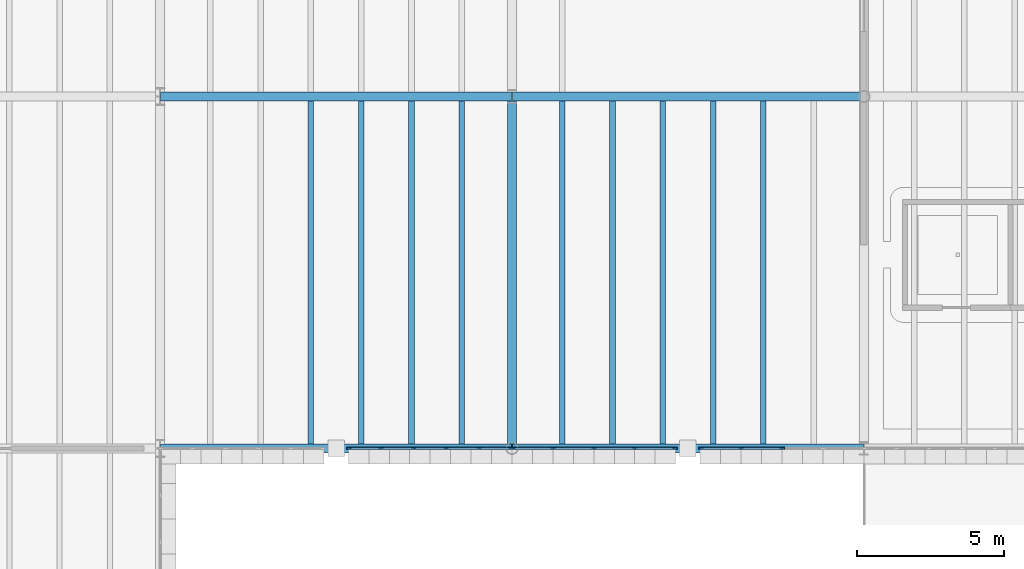
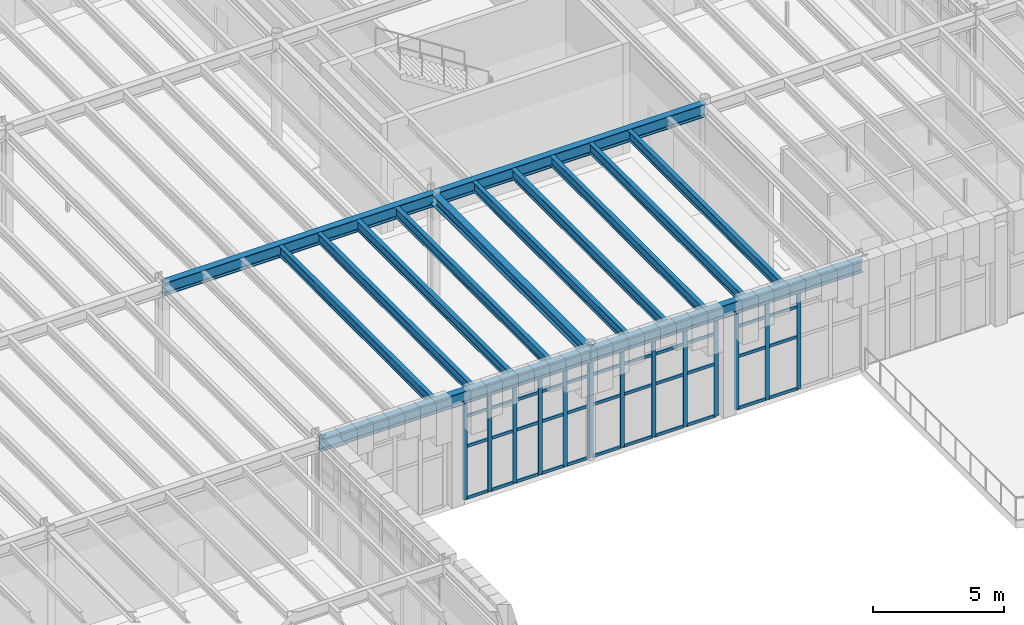
# One storey, part 19 of 103: 58 members, 14 beams, 3 elements without a shape of their own.
"""IFC4 building model written with IfcOpenShell, lengths in metres."""

from ifc_helpers import new_model, si_unit, direction, frame, origin, origin_2d, place, context, subcontext, project, spatial, rectangle, i_section, extrude, material, layer, layer_set, material_profile, profile_set, type_object, element, aggregate, save


model = new_model("IFC4")

# Units and contexts
model_context = context("Model", 3, precision=1e-05, world=origin(), true_north=direction((0.0, 1.0)))
body_context = subcontext(model_context, "Body", "Model", "MODEL_VIEW")
ifc_project = project(units=[si_unit("LENGTHUNIT", "METRE"), si_unit("AREAUNIT", "SQUARE_METRE"), si_unit("VOLUMEUNIT", "CUBIC_METRE"), si_unit("PLANEANGLEUNIT", "RADIAN"), si_unit("MASSUNIT", "GRAM", prefix="KILO")], contexts=[model_context])

# Site, building, storey
site_placement = place(None, origin())
site = spatial("IfcSite", under=ifc_project, at=site_placement, CompositionType="ELEMENT")
building_placement = place(site_placement, origin())
building = spatial("IfcBuilding", under=site, at=building_placement, Name="Zlatogorsky Bluff Art Gallery", CompositionType="ELEMENT")
storey_placement = place(building_placement, origin())
storey = spatial("IfcBuildingStorey", under=building, at=storey_placement, Name="L00", CompositionType="ELEMENT", Elevation=0.0)

# Beams
ifc_material_1 = material(Name="Steel S355", Category="steel")
ifc_material_profile_1 = material_profile(ifc_material_1, i_section(OverallWidth=0.300048828125, OverallDepth=0.590087890625, WebThickness=0.012939453125, FlangeThickness=0.02490234375, FilletRadius=0.027099609375, at=origin_2d()), Name="HEA 600")
ifc_profile_set_1 = profile_set([ifc_material_profile_1], Name="Steel S355")
beam_type_1 = type_object("IfcBeamType", Name="Beam BM-05 HEA 600", PredefinedType="BEAM", material=ifc_profile_set_1)
for number, where, z_axis, x_axis, name in (
    (1, (24.014892578125, 84.0, 4.844970703125), (1.0, 0.0, 0.0), (0.0, 1.0, 0.0), "Primary girder BM-05 L00 C-D/9"),
    (2, (24.014892578125, 96.0, 4.844970703125), (1.0, 0.0, 0.0), (0.0, 1.0, 0.0), "Primary girder BM-05 L00 C-D/10"),
    (3, (36.014892578125, 84.0, 4.844970703125), (1.0, 0.0, 0.0), (0.0, 1.0, 0.0), "Primary girder BM-05 L00 D-E/9"),
    (4, (36.014892578125, 96.0, 4.844970703125), (1.0, 0.0, 0.0), (0.0, 1.0, 0.0), "Primary girder BM-05 L00 D-E/10"),
):
    element("IfcBeam", number, at=place(storey_placement, frame(where, z_axis=z_axis, x_axis=x_axis)), inside=storey, type_object=beam_type_1, Name=name, PredefinedType="BEAM", context=body_context, shape_type="SweptSolid", body=[
        extrude(i_section(OverallWidth=0.300048828125, OverallDepth=0.590087890625, WebThickness=0.012939453125, FlangeThickness=0.02490234375, FilletRadius=0.027099609375, at=origin_2d()), origin(), (0.0, 0.0, 1.0), 11.97021484375),
    ])
ifc_material_profile_2 = material_profile(ifc_material_1, i_section(OverallWidth=0.300048828125, OverallDepth=0.489990234375, WebThickness=0.011962890625, FlangeThickness=0.02294921875, FilletRadius=0.027099609375, at=origin_2d()), Name="HEA 500")
ifc_profile_set_2 = profile_set([ifc_material_profile_2], Name="Steel S355")
beam_type_2 = type_object("IfcBeamType", Name="Beam BM-07 HEA 500", PredefinedType="BEAM", material=ifc_profile_set_2)
beam_placement = place(storey_placement, frame((36.0, 84.014892578125, 4.89501953125), z_axis=(0.0, 1.0, 0.0), x_axis=(-1.0, 0.0, 0.0)))
element("IfcBeam", 5, at=beam_placement, inside=storey, type_object=beam_type_2, Name="Primary girder BM-07 L00 D/9-10", PredefinedType="BEAM", context=body_context, shape_type="SweptSolid", body=[
    extrude(i_section(OverallWidth=0.300048828125, OverallDepth=0.489990234375, WebThickness=0.011962890625, FlangeThickness=0.02294921875, FilletRadius=0.027099609375, at=origin_2d()), origin(), (0.0, 0.0, 1.0), 11.97021484375),
])
ifc_material_profile_3 = material_profile(ifc_material_1, i_section(OverallWidth=0.18994140625, OverallDepth=0.449951171875, WebThickness=0.009521484375, FlangeThickness=0.0146484375, FilletRadius=0.02099609375, at=origin_2d()), Name="IPE 450")
ifc_profile_set_3 = profile_set([ifc_material_profile_3], Name="Steel S355")
beam_type_3 = type_object("IfcBeamType", Name="Beam JS-06 IPE 450", PredefinedType="JOIST", material=ifc_profile_set_3)
for number, where, z_axis, x_axis, name in (
    (6, (29.142822265625, 84.14990234375, 4.9150390625), (0.0, 1.0, 0.0), (-1.0, 0.0, 0.0), "Composite floor joist JS-06 L00 02.08.3"),
    (7, (30.857177734375, 84.14990234375, 4.9150390625), (0.0, 1.0, 0.0), (-1.0, 0.0, 0.0), "Composite floor joist JS-06 L00 02.08.4"),
    (8, (32.571533203125, 84.14990234375, 4.9150390625), (0.0, 1.0, 0.0), (-1.0, 0.0, 0.0), "Composite floor joist JS-06 L00 02.08.5"),
    (9, (34.28564453125, 84.14990234375, 4.9150390625), (0.0, 1.0, 0.0), (-1.0, 0.0, 0.0), "Composite floor joist JS-06 L00 02.08.6"),
    (10, (37.71435546875, 84.14990234375, 4.9150390625), (0.0, 1.0, 0.0), (-1.0, 0.0, 0.0), "Composite floor joist JS-06 L00 03.08.1"),
    (11, (39.428466796875, 84.14990234375, 4.9150390625), (0.0, 1.0, 0.0), (-1.0, 0.0, 0.0), "Composite floor joist JS-06 L00 03.08.2"),
    (12, (41.142822265625, 84.14990234375, 4.9150390625), (0.0, 1.0, 0.0), (-1.0, 0.0, 0.0), "Composite floor joist JS-06 L00 03.08.3"),
    (13, (42.857177734375, 84.14990234375, 4.9150390625), (0.0, 1.0, 0.0), (-1.0, 0.0, 0.0), "Composite floor joist JS-06 L00 03.08.4"),
    (14, (44.571533203125, 84.14990234375, 4.9150390625), (0.0, 1.0, 0.0), (-1.0, 0.0, 0.0), "Composite floor joist JS-06 L00 03.08.5"),
):
    element("IfcBeam", number, at=place(storey_placement, frame(where, z_axis=z_axis, x_axis=x_axis)), inside=storey, type_object=beam_type_3, Name=name, PredefinedType="JOIST", context=body_context, shape_type="SweptSolid", body=[
        extrude(i_section(OverallWidth=0.18994140625, OverallDepth=0.449951171875, WebThickness=0.009521484375, FlangeThickness=0.0146484375, FilletRadius=0.02099609375, at=origin_2d()), origin(), (0.0, 0.0, 1.0), 11.7001953125),
    ])

# Curtain wall, members
ifc_material_2 = material(Name="Anodised Bronze Aluminium and Low-Iron Triple Glazing", Category="aluminium")
ifc_layer_1 = layer(ifc_material_2, 0.179931640625)
ifc_layer_set_1 = layer_set([ifc_layer_1], Name="Curtain Wall CW-03")
curtain_wall_type_1 = type_object("IfcCurtainWallType", Name="Curtain Wall CW-03", PredefinedType="USERDEFINED", material=ifc_layer_set_1)
curtain_wall_1_placement = place(storey_placement, origin())
curtain_wall_1 = element("IfcCurtainWall", 15, at=curtain_wall_1_placement, inside=storey, type_object=curtain_wall_type_1, Name="Unitised curtain wall CW-03 L00 S 2.8-B", ObjectType="CURTAIN WALL", PredefinedType="USERDEFINED")
ifc_material_3 = material(Name="Anodised Bronze Aluminium", Category="aluminium")
ifc_material_profile_4 = material_profile(ifc_material_3, rectangle(XDim=0.06494140625, YDim=0.179931640625, at=origin_2d()), Name="ALU MULLION 65x180")
ifc_profile_set_4 = profile_set([ifc_material_profile_4], Name="Anodised Bronze Aluminium")
member_type_1 = type_object("IfcMemberType", Name="Curtain Mullion ML-01", PredefinedType="MULLION", material=ifc_profile_set_4)
member_1_placement = place(storey_placement, frame((30.452392578125, 84.0, 0.0), z_axis=(0.0, 0.0, 1.0), x_axis=(0.0, 1.0, 0.0)))
member_1 = element("IfcMember", 16, at=member_1_placement, type_object=member_type_1, Name="CW-03 mullion 1", PredefinedType="MULLION", context=body_context, shape_type="SweptSolid", body=[
    extrude(rectangle(XDim=0.06494140625, YDim=0.179931640625, at=origin_2d()), origin(), (0.0, 0.0, 1.0), 4.56005859375),
])
member_2_placement = place(storey_placement, frame((31.535888671875, 84.0, 0.0), z_axis=(0.0, 0.0, 1.0), x_axis=(0.0, 1.0, 0.0)))
member_2 = element("IfcMember", 17, at=member_2_placement, type_object=member_type_1, Name="CW-03 mullion 2", PredefinedType="MULLION", context=body_context, shape_type="SweptSolid", body=[
    extrude(rectangle(XDim=0.06494140625, YDim=0.179931640625, at=origin_2d()), origin(), (0.0, 0.0, 1.0), 4.56005859375),
])
member_3_placement = place(storey_placement, frame((32.652099609375, 84.0, 0.0), z_axis=(0.0, 0.0, 1.0), x_axis=(0.0, 1.0, 0.0)))
member_3 = element("IfcMember", 18, at=member_3_placement, type_object=member_type_1, Name="CW-03 mullion 3", PredefinedType="MULLION", context=body_context, shape_type="SweptSolid", body=[
    extrude(rectangle(XDim=0.06494140625, YDim=0.179931640625, at=origin_2d()), origin(), (0.0, 0.0, 1.0), 4.56005859375),
])
member_4_placement = place(storey_placement, frame((33.76806640625, 84.0, 0.0), z_axis=(0.0, 0.0, 1.0), x_axis=(0.0, 1.0, 0.0)))
member_4 = element("IfcMember", 19, at=member_4_placement, type_object=member_type_1, Name="CW-03 mullion 4", PredefinedType="MULLION", context=body_context, shape_type="SweptSolid", body=[
    extrude(rectangle(XDim=0.06494140625, YDim=0.179931640625, at=origin_2d()), origin(), (0.0, 0.0, 1.0), 4.56005859375),
])
member_5_placement = place(storey_placement, frame((34.884033203125, 84.0, 0.0), z_axis=(0.0, 0.0, 1.0), x_axis=(0.0, 1.0, 0.0)))
member_5 = element("IfcMember", 20, at=member_5_placement, type_object=member_type_1, Name="CW-03 mullion 5", PredefinedType="MULLION", context=body_context, shape_type="SweptSolid", body=[
    extrude(rectangle(XDim=0.06494140625, YDim=0.179931640625, at=origin_2d()), origin(), (0.0, 0.0, 1.0), 4.56005859375),
])
member_6_placement = place(storey_placement, frame((35.967529296875, 84.0, 0.0), z_axis=(0.0, 0.0, 1.0), x_axis=(0.0, 1.0, 0.0)))
member_6 = element("IfcMember", 21, at=member_6_placement, type_object=member_type_1, Name="CW-03 mullion 6", PredefinedType="MULLION", context=body_context, shape_type="SweptSolid", body=[
    extrude(rectangle(XDim=0.06494140625, YDim=0.179931640625, at=origin_2d()), origin(), (0.0, 0.0, 1.0), 4.56005859375),
])

ifc_layer_2 = layer(ifc_material_2, 0.179931640625)
ifc_layer_set_2 = layer_set([ifc_layer_2], Name="Curtain Wall CW-01")
curtain_wall_type_2 = type_object("IfcCurtainWallType", Name="Curtain Wall CW-01", PredefinedType="USERDEFINED", material=ifc_layer_set_2)
curtain_wall_2_placement = place(storey_placement, origin())
curtain_wall_2 = element("IfcCurtainWall", 22, at=curtain_wall_2_placement, inside=storey, type_object=curtain_wall_type_2, Name="Unitised curtain wall CW-01 L00 S 3.8-A", ObjectType="CURTAIN WALL", PredefinedType="USERDEFINED")
member_7_placement = place(storey_placement, frame((36.032470703125, 84.0, 0.0), z_axis=(0.0, 0.0, 1.0), x_axis=(0.0, 1.0, 0.0)))
member_7 = element("IfcMember", 23, at=member_7_placement, type_object=member_type_1, Name="CW-01 mullion 1", PredefinedType="MULLION", context=body_context, shape_type="SweptSolid", body=[
    extrude(rectangle(XDim=0.06494140625, YDim=0.179931640625, at=origin_2d()), origin(), (0.0, 0.0, 1.0), 4.56005859375),
])
member_8_placement = place(storey_placement, frame((37.39501953125, 84.0, 0.0), z_axis=(0.0, 0.0, 1.0), x_axis=(0.0, 1.0, 0.0)))
member_8 = element("IfcMember", 24, at=member_8_placement, type_object=member_type_1, Name="CW-01 mullion 2", PredefinedType="MULLION", context=body_context, shape_type="SweptSolid", body=[
    extrude(rectangle(XDim=0.06494140625, YDim=0.179931640625, at=origin_2d()), origin(), (0.0, 0.0, 1.0), 4.56005859375),
])
member_9_placement = place(storey_placement, frame((38.7900390625, 84.0, 0.0), z_axis=(0.0, 0.0, 1.0), x_axis=(0.0, 1.0, 0.0)))
member_9 = element("IfcMember", 25, at=member_9_placement, type_object=member_type_1, Name="CW-01 mullion 3", PredefinedType="MULLION", context=body_context, shape_type="SweptSolid", body=[
    extrude(rectangle(XDim=0.06494140625, YDim=0.179931640625, at=origin_2d()), origin(), (0.0, 0.0, 1.0), 4.56005859375),
])
member_10_placement = place(storey_placement, frame((40.18505859375, 84.0, 0.0), z_axis=(0.0, 0.0, 1.0), x_axis=(0.0, 1.0, 0.0)))
member_10 = element("IfcMember", 26, at=member_10_placement, type_object=member_type_1, Name="CW-01 mullion 4", PredefinedType="MULLION", context=body_context, shape_type="SweptSolid", body=[
    extrude(rectangle(XDim=0.06494140625, YDim=0.179931640625, at=origin_2d()), origin(), (0.0, 0.0, 1.0), 4.56005859375),
])
member_11_placement = place(storey_placement, frame((41.547607421875, 84.0, 0.0), z_axis=(0.0, 0.0, 1.0), x_axis=(0.0, 1.0, 0.0)))
member_11 = element("IfcMember", 27, at=member_11_placement, type_object=member_type_1, Name="CW-01 mullion 5", PredefinedType="MULLION", context=body_context, shape_type="SweptSolid", body=[
    extrude(rectangle(XDim=0.06494140625, YDim=0.179931640625, at=origin_2d()), origin(), (0.0, 0.0, 1.0), 4.56005859375),
])

curtain_wall_3_placement = place(storey_placement, origin())
curtain_wall_3 = element("IfcCurtainWall", 28, at=curtain_wall_3_placement, inside=storey, type_object=curtain_wall_type_2, Name="Unitised curtain wall CW-01 L00 S 3.8-B", ObjectType="CURTAIN WALL", PredefinedType="USERDEFINED")
member_12_placement = place(storey_placement, frame((42.452392578125, 84.0, 0.0), z_axis=(0.0, 0.0, 1.0), x_axis=(0.0, 1.0, 0.0)))
member_12 = element("IfcMember", 29, at=member_12_placement, type_object=member_type_1, Name="CW-01 mullion 1", PredefinedType="MULLION", context=body_context, shape_type="SweptSolid", body=[
    extrude(rectangle(XDim=0.06494140625, YDim=0.179931640625, at=origin_2d()), origin(), (0.0, 0.0, 1.0), 4.56005859375),
])
member_13_placement = place(storey_placement, frame((43.81494140625, 84.0, 0.0), z_axis=(0.0, 0.0, 1.0), x_axis=(0.0, 1.0, 0.0)))
member_13 = element("IfcMember", 30, at=member_13_placement, type_object=member_type_1, Name="CW-01 mullion 2", PredefinedType="MULLION", context=body_context, shape_type="SweptSolid", body=[
    extrude(rectangle(XDim=0.06494140625, YDim=0.179931640625, at=origin_2d()), origin(), (0.0, 0.0, 1.0), 4.56005859375),
])
member_14_placement = place(storey_placement, frame((45.2099609375, 84.0, 0.0), z_axis=(0.0, 0.0, 1.0), x_axis=(0.0, 1.0, 0.0)))
member_14 = element("IfcMember", 31, at=member_14_placement, type_object=member_type_1, Name="CW-01 mullion 3", PredefinedType="MULLION", context=body_context, shape_type="SweptSolid", body=[
    extrude(rectangle(XDim=0.06494140625, YDim=0.179931640625, at=origin_2d()), origin(), (0.0, 0.0, 1.0), 4.56005859375),
])

# Member
ifc_material_profile_5 = material_profile(ifc_material_3, rectangle(XDim=0.06494140625, YDim=0.139892578125, at=origin_2d()), Name="ALU TRANSOM 65x140")
ifc_profile_set_5 = profile_set([ifc_material_profile_5], Name="Anodised Bronze Aluminium")
member_type_2 = type_object("IfcMemberType", Name="Curtain Transom TR-01", PredefinedType="USERDEFINED", material=ifc_profile_set_5)
member_15_placement = place(storey_placement, frame((30.485107421875, 84.0, 0.032470703125), z_axis=(1.0, 0.0, 0.0), x_axis=(0.0, 1.0, 0.0)))
member_15 = element("IfcMember", 32, at=member_15_placement, type_object=member_type_2, Name="CW-03 transom 1.1", ObjectType="TRANSOM", PredefinedType="USERDEFINED", context=body_context, shape_type="SweptSolid", body=[
    extrude(rectangle(XDim=0.06494140625, YDim=0.139892578125, at=origin_2d()), origin(), (0.0, 0.0, 1.0), 1.018310546875),
])

member_16_placement = place(storey_placement, frame((30.485107421875, 84.0, 2.449951171875), z_axis=(1.0, 0.0, 0.0), x_axis=(0.0, 1.0, 0.0)))
member_16 = element("IfcMember", 33, at=member_16_placement, type_object=member_type_2, Name="CW-03 transom 1.2", ObjectType="TRANSOM", PredefinedType="USERDEFINED", context=body_context, shape_type="SweptSolid", body=[
    extrude(rectangle(XDim=0.06494140625, YDim=0.139892578125, at=origin_2d()), origin(), (0.0, 0.0, 1.0), 1.018310546875),
])

member_17_placement = place(storey_placement, frame((30.485107421875, 84.0, 3.85009765625), z_axis=(1.0, 0.0, 0.0), x_axis=(0.0, 1.0, 0.0)))
member_17 = element("IfcMember", 34, at=member_17_placement, type_object=member_type_2, Name="CW-03 transom 1.3", ObjectType="TRANSOM", PredefinedType="USERDEFINED", context=body_context, shape_type="SweptSolid", body=[
    extrude(rectangle(XDim=0.06494140625, YDim=0.139892578125, at=origin_2d()), origin(), (0.0, 0.0, 1.0), 1.018310546875),
])

member_18_placement = place(storey_placement, frame((30.485107421875, 84.0, 4.527587890625), z_axis=(1.0, 0.0, 0.0), x_axis=(0.0, 1.0, 0.0)))
member_18 = element("IfcMember", 35, at=member_18_placement, type_object=member_type_2, Name="CW-03 transom 1.4", ObjectType="TRANSOM", PredefinedType="USERDEFINED", context=body_context, shape_type="SweptSolid", body=[
    extrude(rectangle(XDim=0.06494140625, YDim=0.139892578125, at=origin_2d()), origin(), (0.0, 0.0, 1.0), 1.018310546875),
])

member_19_placement = place(storey_placement, frame((31.568603515625, 84.0, 0.032470703125), z_axis=(1.0, 0.0, 0.0), x_axis=(0.0, 1.0, 0.0)))
member_19 = element("IfcMember", 36, at=member_19_placement, type_object=member_type_2, Name="CW-03 transom 2.1", ObjectType="TRANSOM", PredefinedType="USERDEFINED", context=body_context, shape_type="SweptSolid", body=[
    extrude(rectangle(XDim=0.06494140625, YDim=0.139892578125, at=origin_2d()), origin(), (0.0, 0.0, 1.0), 1.05078125),
])

member_20_placement = place(storey_placement, frame((31.568603515625, 84.0, 2.449951171875), z_axis=(1.0, 0.0, 0.0), x_axis=(0.0, 1.0, 0.0)))
member_20 = element("IfcMember", 37, at=member_20_placement, type_object=member_type_2, Name="CW-03 transom 2.2", ObjectType="TRANSOM", PredefinedType="USERDEFINED", context=body_context, shape_type="SweptSolid", body=[
    extrude(rectangle(XDim=0.06494140625, YDim=0.139892578125, at=origin_2d()), origin(), (0.0, 0.0, 1.0), 1.05078125),
])

member_21_placement = place(storey_placement, frame((31.568603515625, 84.0, 3.85009765625), z_axis=(1.0, 0.0, 0.0), x_axis=(0.0, 1.0, 0.0)))
member_21 = element("IfcMember", 38, at=member_21_placement, type_object=member_type_2, Name="CW-03 transom 2.3", ObjectType="TRANSOM", PredefinedType="USERDEFINED", context=body_context, shape_type="SweptSolid", body=[
    extrude(rectangle(XDim=0.06494140625, YDim=0.139892578125, at=origin_2d()), origin(), (0.0, 0.0, 1.0), 1.05078125),
])

member_22_placement = place(storey_placement, frame((31.568603515625, 84.0, 4.527587890625), z_axis=(1.0, 0.0, 0.0), x_axis=(0.0, 1.0, 0.0)))
member_22 = element("IfcMember", 39, at=member_22_placement, type_object=member_type_2, Name="CW-03 transom 2.4", ObjectType="TRANSOM", PredefinedType="USERDEFINED", context=body_context, shape_type="SweptSolid", body=[
    extrude(rectangle(XDim=0.06494140625, YDim=0.139892578125, at=origin_2d()), origin(), (0.0, 0.0, 1.0), 1.05078125),
])

member_23_placement = place(storey_placement, frame((32.6845703125, 84.0, 0.032470703125), z_axis=(1.0, 0.0, 0.0), x_axis=(0.0, 1.0, 0.0)))
member_23 = element("IfcMember", 40, at=member_23_placement, type_object=member_type_2, Name="CW-03 transom 3.1", ObjectType="TRANSOM", PredefinedType="USERDEFINED", context=body_context, shape_type="SweptSolid", body=[
    extrude(rectangle(XDim=0.06494140625, YDim=0.139892578125, at=origin_2d()), origin(), (0.0, 0.0, 1.0), 1.051025390625),
])

member_24_placement = place(storey_placement, frame((32.6845703125, 84.0, 2.449951171875), z_axis=(1.0, 0.0, 0.0), x_axis=(0.0, 1.0, 0.0)))
member_24 = element("IfcMember", 41, at=member_24_placement, type_object=member_type_2, Name="CW-03 transom 3.2", ObjectType="TRANSOM", PredefinedType="USERDEFINED", context=body_context, shape_type="SweptSolid", body=[
    extrude(rectangle(XDim=0.06494140625, YDim=0.139892578125, at=origin_2d()), origin(), (0.0, 0.0, 1.0), 1.051025390625),
])

member_25_placement = place(storey_placement, frame((32.6845703125, 84.0, 3.85009765625), z_axis=(1.0, 0.0, 0.0), x_axis=(0.0, 1.0, 0.0)))
member_25 = element("IfcMember", 42, at=member_25_placement, type_object=member_type_2, Name="CW-03 transom 3.3", ObjectType="TRANSOM", PredefinedType="USERDEFINED", context=body_context, shape_type="SweptSolid", body=[
    extrude(rectangle(XDim=0.06494140625, YDim=0.139892578125, at=origin_2d()), origin(), (0.0, 0.0, 1.0), 1.051025390625),
])

member_26_placement = place(storey_placement, frame((32.6845703125, 84.0, 4.527587890625), z_axis=(1.0, 0.0, 0.0), x_axis=(0.0, 1.0, 0.0)))
member_26 = element("IfcMember", 43, at=member_26_placement, type_object=member_type_2, Name="CW-03 transom 3.4", ObjectType="TRANSOM", PredefinedType="USERDEFINED", context=body_context, shape_type="SweptSolid", body=[
    extrude(rectangle(XDim=0.06494140625, YDim=0.139892578125, at=origin_2d()), origin(), (0.0, 0.0, 1.0), 1.051025390625),
])

member_27_placement = place(storey_placement, frame((33.800537109375, 84.0, 0.032470703125), z_axis=(1.0, 0.0, 0.0), x_axis=(0.0, 1.0, 0.0)))
member_27 = element("IfcMember", 44, at=member_27_placement, type_object=member_type_2, Name="CW-03 transom 4.1", ObjectType="TRANSOM", PredefinedType="USERDEFINED", context=body_context, shape_type="SweptSolid", body=[
    extrude(rectangle(XDim=0.06494140625, YDim=0.139892578125, at=origin_2d()), origin(), (0.0, 0.0, 1.0), 1.051025390625),
])

member_28_placement = place(storey_placement, frame((33.800537109375, 84.0, 2.449951171875), z_axis=(1.0, 0.0, 0.0), x_axis=(0.0, 1.0, 0.0)))
member_28 = element("IfcMember", 45, at=member_28_placement, type_object=member_type_2, Name="CW-03 transom 4.2", ObjectType="TRANSOM", PredefinedType="USERDEFINED", context=body_context, shape_type="SweptSolid", body=[
    extrude(rectangle(XDim=0.06494140625, YDim=0.139892578125, at=origin_2d()), origin(), (0.0, 0.0, 1.0), 1.051025390625),
])

member_29_placement = place(storey_placement, frame((33.800537109375, 84.0, 3.85009765625), z_axis=(1.0, 0.0, 0.0), x_axis=(0.0, 1.0, 0.0)))
member_29 = element("IfcMember", 46, at=member_29_placement, type_object=member_type_2, Name="CW-03 transom 4.3", ObjectType="TRANSOM", PredefinedType="USERDEFINED", context=body_context, shape_type="SweptSolid", body=[
    extrude(rectangle(XDim=0.06494140625, YDim=0.139892578125, at=origin_2d()), origin(), (0.0, 0.0, 1.0), 1.051025390625),
])

member_30_placement = place(storey_placement, frame((33.800537109375, 84.0, 4.527587890625), z_axis=(1.0, 0.0, 0.0), x_axis=(0.0, 1.0, 0.0)))
member_30 = element("IfcMember", 47, at=member_30_placement, type_object=member_type_2, Name="CW-03 transom 4.4", ObjectType="TRANSOM", PredefinedType="USERDEFINED", context=body_context, shape_type="SweptSolid", body=[
    extrude(rectangle(XDim=0.06494140625, YDim=0.139892578125, at=origin_2d()), origin(), (0.0, 0.0, 1.0), 1.051025390625),
])

member_31_placement = place(storey_placement, frame((34.91650390625, 84.0, 0.032470703125), z_axis=(1.0, 0.0, 0.0), x_axis=(0.0, 1.0, 0.0)))
member_31 = element("IfcMember", 48, at=member_31_placement, type_object=member_type_2, Name="CW-03 transom 5.1", ObjectType="TRANSOM", PredefinedType="USERDEFINED", context=body_context, shape_type="SweptSolid", body=[
    extrude(rectangle(XDim=0.06494140625, YDim=0.139892578125, at=origin_2d()), origin(), (0.0, 0.0, 1.0), 1.0185546875),
])

member_32_placement = place(storey_placement, frame((34.91650390625, 84.0, 2.449951171875), z_axis=(1.0, 0.0, 0.0), x_axis=(0.0, 1.0, 0.0)))
member_32 = element("IfcMember", 49, at=member_32_placement, type_object=member_type_2, Name="CW-03 transom 5.2", ObjectType="TRANSOM", PredefinedType="USERDEFINED", context=body_context, shape_type="SweptSolid", body=[
    extrude(rectangle(XDim=0.06494140625, YDim=0.139892578125, at=origin_2d()), origin(), (0.0, 0.0, 1.0), 1.0185546875),
])

member_33_placement = place(storey_placement, frame((34.91650390625, 84.0, 3.85009765625), z_axis=(1.0, 0.0, 0.0), x_axis=(0.0, 1.0, 0.0)))
member_33 = element("IfcMember", 50, at=member_33_placement, type_object=member_type_2, Name="CW-03 transom 5.3", ObjectType="TRANSOM", PredefinedType="USERDEFINED", context=body_context, shape_type="SweptSolid", body=[
    extrude(rectangle(XDim=0.06494140625, YDim=0.139892578125, at=origin_2d()), origin(), (0.0, 0.0, 1.0), 1.0185546875),
])

member_34_placement = place(storey_placement, frame((34.91650390625, 84.0, 4.527587890625), z_axis=(1.0, 0.0, 0.0), x_axis=(0.0, 1.0, 0.0)))
member_34 = element("IfcMember", 51, at=member_34_placement, type_object=member_type_2, Name="CW-03 transom 5.4", ObjectType="TRANSOM", PredefinedType="USERDEFINED", context=body_context, shape_type="SweptSolid", body=[
    extrude(rectangle(XDim=0.06494140625, YDim=0.139892578125, at=origin_2d()), origin(), (0.0, 0.0, 1.0), 1.0185546875),
])

aggregate(curtain_wall_1, [member_1, member_2, member_3, member_4, member_5, member_6, member_15, member_16, member_17, member_18, member_19, member_20, member_21, member_22, member_23, member_24, member_25, member_26, member_27, member_28, member_29, member_30, member_31, member_32, member_33, member_34])

member_35_placement = place(storey_placement, frame((36.06494140625, 84.0, 0.032470703125), z_axis=(1.0, 0.0, 0.0), x_axis=(0.0, 1.0, 0.0)))
member_35 = element("IfcMember", 52, at=member_35_placement, type_object=member_type_2, Name="CW-01 transom 1.1", ObjectType="TRANSOM", PredefinedType="USERDEFINED", context=body_context, shape_type="SweptSolid", body=[
    extrude(rectangle(XDim=0.06494140625, YDim=0.139892578125, at=origin_2d()), origin(), (0.0, 0.0, 1.0), 1.297607421875),
])

member_36_placement = place(storey_placement, frame((36.06494140625, 84.0, 2.449951171875), z_axis=(1.0, 0.0, 0.0), x_axis=(0.0, 1.0, 0.0)))
member_36 = element("IfcMember", 53, at=member_36_placement, type_object=member_type_2, Name="CW-01 transom 1.2", ObjectType="TRANSOM", PredefinedType="USERDEFINED", context=body_context, shape_type="SweptSolid", body=[
    extrude(rectangle(XDim=0.06494140625, YDim=0.139892578125, at=origin_2d()), origin(), (0.0, 0.0, 1.0), 1.297607421875),
])

member_37_placement = place(storey_placement, frame((36.06494140625, 84.0, 3.85009765625), z_axis=(1.0, 0.0, 0.0), x_axis=(0.0, 1.0, 0.0)))
member_37 = element("IfcMember", 54, at=member_37_placement, type_object=member_type_2, Name="CW-01 transom 1.3", ObjectType="TRANSOM", PredefinedType="USERDEFINED", context=body_context, shape_type="SweptSolid", body=[
    extrude(rectangle(XDim=0.06494140625, YDim=0.139892578125, at=origin_2d()), origin(), (0.0, 0.0, 1.0), 1.297607421875),
])

member_38_placement = place(storey_placement, frame((36.06494140625, 84.0, 4.527587890625), z_axis=(1.0, 0.0, 0.0), x_axis=(0.0, 1.0, 0.0)))
member_38 = element("IfcMember", 55, at=member_38_placement, type_object=member_type_2, Name="CW-01 transom 1.4", ObjectType="TRANSOM", PredefinedType="USERDEFINED", context=body_context, shape_type="SweptSolid", body=[
    extrude(rectangle(XDim=0.06494140625, YDim=0.139892578125, at=origin_2d()), origin(), (0.0, 0.0, 1.0), 1.297607421875),
])

member_39_placement = place(storey_placement, frame((37.427490234375, 84.0, 0.032470703125), z_axis=(1.0, 0.0, 0.0), x_axis=(0.0, 1.0, 0.0)))
member_39 = element("IfcMember", 56, at=member_39_placement, type_object=member_type_2, Name="CW-01 transom 2.1", ObjectType="TRANSOM", PredefinedType="USERDEFINED", context=body_context, shape_type="SweptSolid", body=[
    extrude(rectangle(XDim=0.06494140625, YDim=0.139892578125, at=origin_2d()), origin(), (0.0, 0.0, 1.0), 1.330078125),
])

member_40_placement = place(storey_placement, frame((37.427490234375, 84.0, 2.449951171875), z_axis=(1.0, 0.0, 0.0), x_axis=(0.0, 1.0, 0.0)))
member_40 = element("IfcMember", 57, at=member_40_placement, type_object=member_type_2, Name="CW-01 transom 2.2", ObjectType="TRANSOM", PredefinedType="USERDEFINED", context=body_context, shape_type="SweptSolid", body=[
    extrude(rectangle(XDim=0.06494140625, YDim=0.139892578125, at=origin_2d()), origin(), (0.0, 0.0, 1.0), 1.330078125),
])

member_41_placement = place(storey_placement, frame((37.427490234375, 84.0, 3.85009765625), z_axis=(1.0, 0.0, 0.0), x_axis=(0.0, 1.0, 0.0)))
member_41 = element("IfcMember", 58, at=member_41_placement, type_object=member_type_2, Name="CW-01 transom 2.3", ObjectType="TRANSOM", PredefinedType="USERDEFINED", context=body_context, shape_type="SweptSolid", body=[
    extrude(rectangle(XDim=0.06494140625, YDim=0.139892578125, at=origin_2d()), origin(), (0.0, 0.0, 1.0), 1.330078125),
])

member_42_placement = place(storey_placement, frame((37.427490234375, 84.0, 4.527587890625), z_axis=(1.0, 0.0, 0.0), x_axis=(0.0, 1.0, 0.0)))
member_42 = element("IfcMember", 59, at=member_42_placement, type_object=member_type_2, Name="CW-01 transom 2.4", ObjectType="TRANSOM", PredefinedType="USERDEFINED", context=body_context, shape_type="SweptSolid", body=[
    extrude(rectangle(XDim=0.06494140625, YDim=0.139892578125, at=origin_2d()), origin(), (0.0, 0.0, 1.0), 1.330078125),
])

member_43_placement = place(storey_placement, frame((38.822509765625, 84.0, 0.032470703125), z_axis=(1.0, 0.0, 0.0), x_axis=(0.0, 1.0, 0.0)))
member_43 = element("IfcMember", 60, at=member_43_placement, type_object=member_type_2, Name="CW-01 transom 3.1", ObjectType="TRANSOM", PredefinedType="USERDEFINED", context=body_context, shape_type="SweptSolid", body=[
    extrude(rectangle(XDim=0.06494140625, YDim=0.139892578125, at=origin_2d()), origin(), (0.0, 0.0, 1.0), 1.330078125),
])

member_44_placement = place(storey_placement, frame((38.822509765625, 84.0, 2.449951171875), z_axis=(1.0, 0.0, 0.0), x_axis=(0.0, 1.0, 0.0)))
member_44 = element("IfcMember", 61, at=member_44_placement, type_object=member_type_2, Name="CW-01 transom 3.2", ObjectType="TRANSOM", PredefinedType="USERDEFINED", context=body_context, shape_type="SweptSolid", body=[
    extrude(rectangle(XDim=0.06494140625, YDim=0.139892578125, at=origin_2d()), origin(), (0.0, 0.0, 1.0), 1.330078125),
])

member_45_placement = place(storey_placement, frame((38.822509765625, 84.0, 3.85009765625), z_axis=(1.0, 0.0, 0.0), x_axis=(0.0, 1.0, 0.0)))
member_45 = element("IfcMember", 62, at=member_45_placement, type_object=member_type_2, Name="CW-01 transom 3.3", ObjectType="TRANSOM", PredefinedType="USERDEFINED", context=body_context, shape_type="SweptSolid", body=[
    extrude(rectangle(XDim=0.06494140625, YDim=0.139892578125, at=origin_2d()), origin(), (0.0, 0.0, 1.0), 1.330078125),
])

member_46_placement = place(storey_placement, frame((38.822509765625, 84.0, 4.527587890625), z_axis=(1.0, 0.0, 0.0), x_axis=(0.0, 1.0, 0.0)))
member_46 = element("IfcMember", 63, at=member_46_placement, type_object=member_type_2, Name="CW-01 transom 3.4", ObjectType="TRANSOM", PredefinedType="USERDEFINED", context=body_context, shape_type="SweptSolid", body=[
    extrude(rectangle(XDim=0.06494140625, YDim=0.139892578125, at=origin_2d()), origin(), (0.0, 0.0, 1.0), 1.330078125),
])

member_47_placement = place(storey_placement, frame((40.217529296875, 84.0, 0.032470703125), z_axis=(1.0, 0.0, 0.0), x_axis=(0.0, 1.0, 0.0)))
member_47 = element("IfcMember", 64, at=member_47_placement, type_object=member_type_2, Name="CW-01 transom 4.1", ObjectType="TRANSOM", PredefinedType="USERDEFINED", context=body_context, shape_type="SweptSolid", body=[
    extrude(rectangle(XDim=0.06494140625, YDim=0.139892578125, at=origin_2d()), origin(), (0.0, 0.0, 1.0), 1.29736328125),
])

member_48_placement = place(storey_placement, frame((40.217529296875, 84.0, 2.449951171875), z_axis=(1.0, 0.0, 0.0), x_axis=(0.0, 1.0, 0.0)))
member_48 = element("IfcMember", 65, at=member_48_placement, type_object=member_type_2, Name="CW-01 transom 4.2", ObjectType="TRANSOM", PredefinedType="USERDEFINED", context=body_context, shape_type="SweptSolid", body=[
    extrude(rectangle(XDim=0.06494140625, YDim=0.139892578125, at=origin_2d()), origin(), (0.0, 0.0, 1.0), 1.29736328125),
])

member_49_placement = place(storey_placement, frame((40.217529296875, 84.0, 3.85009765625), z_axis=(1.0, 0.0, 0.0), x_axis=(0.0, 1.0, 0.0)))
member_49 = element("IfcMember", 66, at=member_49_placement, type_object=member_type_2, Name="CW-01 transom 4.3", ObjectType="TRANSOM", PredefinedType="USERDEFINED", context=body_context, shape_type="SweptSolid", body=[
    extrude(rectangle(XDim=0.06494140625, YDim=0.139892578125, at=origin_2d()), origin(), (0.0, 0.0, 1.0), 1.29736328125),
])

member_50_placement = place(storey_placement, frame((40.217529296875, 84.0, 4.527587890625), z_axis=(1.0, 0.0, 0.0), x_axis=(0.0, 1.0, 0.0)))
member_50 = element("IfcMember", 67, at=member_50_placement, type_object=member_type_2, Name="CW-01 transom 4.4", ObjectType="TRANSOM", PredefinedType="USERDEFINED", context=body_context, shape_type="SweptSolid", body=[
    extrude(rectangle(XDim=0.06494140625, YDim=0.139892578125, at=origin_2d()), origin(), (0.0, 0.0, 1.0), 1.29736328125),
])

aggregate(curtain_wall_2, [member_7, member_8, member_9, member_10, member_11, member_35, member_36, member_37, member_38, member_39, member_40, member_41, member_42, member_43, member_44, member_45, member_46, member_47, member_48, member_49, member_50])

member_51_placement = place(storey_placement, frame((42.485107421875, 84.0, 0.032470703125), z_axis=(1.0, 0.0, 0.0), x_axis=(0.0, 1.0, 0.0)))
member_51 = element("IfcMember", 68, at=member_51_placement, type_object=member_type_2, Name="CW-01 transom 1.1", ObjectType="TRANSOM", PredefinedType="USERDEFINED", context=body_context, shape_type="SweptSolid", body=[
    extrude(rectangle(XDim=0.06494140625, YDim=0.139892578125, at=origin_2d()), origin(), (0.0, 0.0, 1.0), 1.29736328125),
])

member_52_placement = place(storey_placement, frame((42.485107421875, 84.0, 2.449951171875), z_axis=(1.0, 0.0, 0.0), x_axis=(0.0, 1.0, 0.0)))
member_52 = element("IfcMember", 69, at=member_52_placement, type_object=member_type_2, Name="CW-01 transom 1.2", ObjectType="TRANSOM", PredefinedType="USERDEFINED", context=body_context, shape_type="SweptSolid", body=[
    extrude(rectangle(XDim=0.06494140625, YDim=0.139892578125, at=origin_2d()), origin(), (0.0, 0.0, 1.0), 1.29736328125),
])

member_53_placement = place(storey_placement, frame((42.485107421875, 84.0, 3.85009765625), z_axis=(1.0, 0.0, 0.0), x_axis=(0.0, 1.0, 0.0)))
member_53 = element("IfcMember", 70, at=member_53_placement, type_object=member_type_2, Name="CW-01 transom 1.3", ObjectType="TRANSOM", PredefinedType="USERDEFINED", context=body_context, shape_type="SweptSolid", body=[
    extrude(rectangle(XDim=0.06494140625, YDim=0.139892578125, at=origin_2d()), origin(), (0.0, 0.0, 1.0), 1.29736328125),
])

member_54_placement = place(storey_placement, frame((42.485107421875, 84.0, 4.527587890625), z_axis=(1.0, 0.0, 0.0), x_axis=(0.0, 1.0, 0.0)))
member_54 = element("IfcMember", 71, at=member_54_placement, type_object=member_type_2, Name="CW-01 transom 1.4", ObjectType="TRANSOM", PredefinedType="USERDEFINED", context=body_context, shape_type="SweptSolid", body=[
    extrude(rectangle(XDim=0.06494140625, YDim=0.139892578125, at=origin_2d()), origin(), (0.0, 0.0, 1.0), 1.29736328125),
])

member_55_placement = place(storey_placement, frame((43.847412109375, 84.0, 0.032470703125), z_axis=(1.0, 0.0, 0.0), x_axis=(0.0, 1.0, 0.0)))
member_55 = element("IfcMember", 72, at=member_55_placement, type_object=member_type_2, Name="CW-01 transom 2.1", ObjectType="TRANSOM", PredefinedType="USERDEFINED", context=body_context, shape_type="SweptSolid", body=[
    extrude(rectangle(XDim=0.06494140625, YDim=0.139892578125, at=origin_2d()), origin(), (0.0, 0.0, 1.0), 1.330078125),
])

member_56_placement = place(storey_placement, frame((43.847412109375, 84.0, 2.449951171875), z_axis=(1.0, 0.0, 0.0), x_axis=(0.0, 1.0, 0.0)))
member_56 = element("IfcMember", 73, at=member_56_placement, type_object=member_type_2, Name="CW-01 transom 2.2", ObjectType="TRANSOM", PredefinedType="USERDEFINED", context=body_context, shape_type="SweptSolid", body=[
    extrude(rectangle(XDim=0.06494140625, YDim=0.139892578125, at=origin_2d()), origin(), (0.0, 0.0, 1.0), 1.330078125),
])

member_57_placement = place(storey_placement, frame((43.847412109375, 84.0, 3.85009765625), z_axis=(1.0, 0.0, 0.0), x_axis=(0.0, 1.0, 0.0)))
member_57 = element("IfcMember", 74, at=member_57_placement, type_object=member_type_2, Name="CW-01 transom 2.3", ObjectType="TRANSOM", PredefinedType="USERDEFINED", context=body_context, shape_type="SweptSolid", body=[
    extrude(rectangle(XDim=0.06494140625, YDim=0.139892578125, at=origin_2d()), origin(), (0.0, 0.0, 1.0), 1.330078125),
])

member_58_placement = place(storey_placement, frame((43.847412109375, 84.0, 4.527587890625), z_axis=(1.0, 0.0, 0.0), x_axis=(0.0, 1.0, 0.0)))
member_58 = element("IfcMember", 75, at=member_58_placement, type_object=member_type_2, Name="CW-01 transom 2.4", ObjectType="TRANSOM", PredefinedType="USERDEFINED", context=body_context, shape_type="SweptSolid", body=[
    extrude(rectangle(XDim=0.06494140625, YDim=0.139892578125, at=origin_2d()), origin(), (0.0, 0.0, 1.0), 1.330078125),
])

aggregate(curtain_wall_3, [member_12, member_13, member_14, member_51, member_52, member_53, member_54, member_55, member_56, member_57, member_58])

save(model, "model.ifc")
